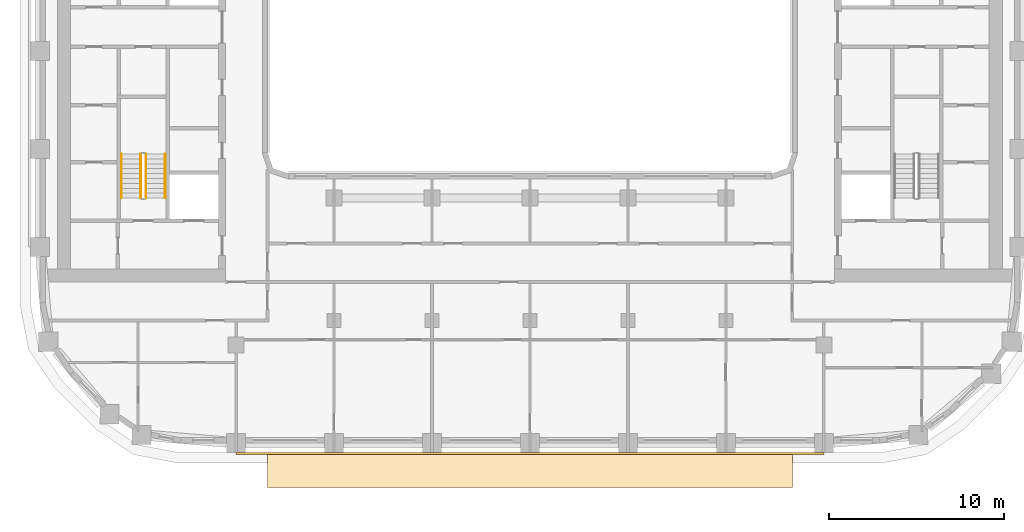
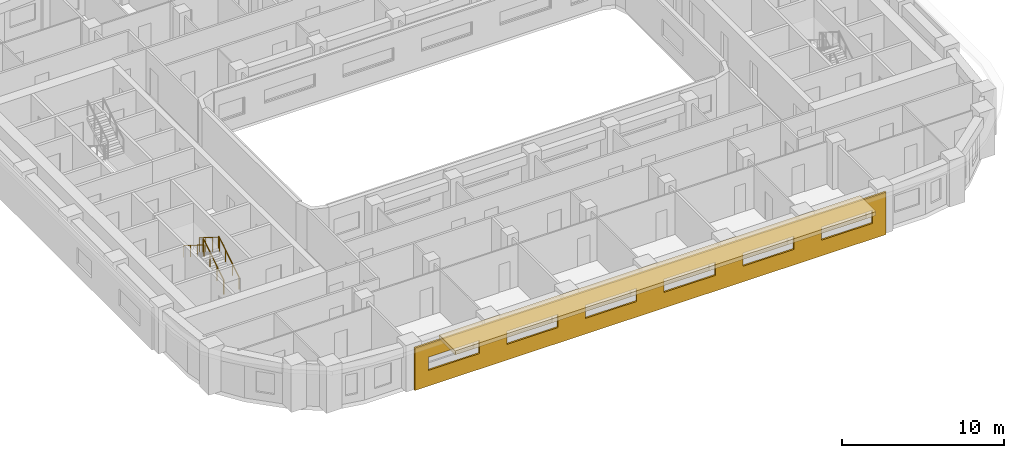
# One storey, part 12 of 22: 4 railings, 2 coverings.
"""IFC4 building model written with IfcOpenShell, lengths in metres."""

from ifc_helpers import new_model, si_unit, direction, frame, origin, origin_2d, place, context, subcontext, project, spatial, polyline, circle, outline, extrude, material, layer, layer_set, type_object, element, save


model = new_model("IFC4")

# Units and contexts
model_context = context("Model", 3, precision=1e-05, world=origin(), true_north=direction((0.0, 1.0)))
body_context = subcontext(model_context, "Body", "Model", "MODEL_VIEW")
ifc_project = project(units=[si_unit("LENGTHUNIT", "METRE"), si_unit("AREAUNIT", "SQUARE_METRE"), si_unit("VOLUMEUNIT", "CUBIC_METRE"), si_unit("PLANEANGLEUNIT", "RADIAN"), si_unit("MASSUNIT", "GRAM", prefix="KILO")], contexts=[model_context])

# Site, building, storey
site_placement = place(None, origin())
site = spatial("IfcSite", under=ifc_project, at=site_placement, CompositionType="ELEMENT")
building_placement = place(site_placement, origin())
building = spatial("IfcBuilding", under=site, at=building_placement, Name="Kiln Ring Residences", CompositionType="ELEMENT")
storey_placement = place(building_placement, frame((0.0, 0.0, 153.60009765625)))
storey = spatial("IfcBuildingStorey", under=building, at=storey_placement, Name="L39", CompositionType="ELEMENT", Elevation=153.60009765625)

# Railings
ifc_material_1 = material(Name="Stainless steel", Category="steel")
railing_type_1 = type_object("IfcRailingType", Name="CORE-STAIR-GUARD", PredefinedType="GUARDRAIL", material=ifc_material_1)
railing_1_placement = place(storey_placement, frame((-21.949951171875, -8.39990234375, 0.1748046875)))
element("IfcRailing", 1, at=railing_1_placement, inside=storey, type_object=railing_type_1, Name="L39 W-STS stair guard 1", PredefinedType="GUARDRAIL", context=body_context, shape_type="SweptSolid", body=[
    extrude(circle(Radius=0.02392578125, at=origin_2d()), frame((0.0, 0.0, 1.076171875), z_axis=(0.0, 0.847970611238, 0.530043245855), x_axis=(-1.0, 0.0, 0.0)), (0.0, 0.0, 1.0), 2.971923828125),
    extrude(circle(Radius=0.02099609375, at=origin_2d()), origin(), (0.0, 0.0, 1.0), 1.052001953125),
    extrude(circle(Radius=0.02099609375, at=origin_2d()), frame((0.0, 0.840087890625, 0.525146484375)), (0.0, 0.0, 1.0), 1.052001953125),
    extrude(circle(Radius=0.02099609375, at=origin_2d()), frame((0.0, 1.679931640625, 1.050048828125)), (0.0, 0.0, 1.0), 1.052001953125),
    extrude(circle(Radius=0.02099609375, at=origin_2d()), frame((0.0, 2.52001953125, 1.5751953125)), (0.0, 0.0, 1.0), 1.052001953125),
])
railing_2_placement = place(storey_placement, frame((-22.25, -5.8798828125, 1.9248046875)))
element("IfcRailing", 2, at=railing_2_placement, inside=storey, type_object=railing_type_1, Name="L39 W-STS stair guard 3", PredefinedType="GUARDRAIL", context=body_context, shape_type="SweptSolid", body=[
    extrude(circle(Radius=0.02392578125, at=origin_2d()), frame((0.0, 0.0, 1.076171875), z_axis=(0.0, -0.847970611238, 0.530043245855), x_axis=(1.0, 0.0, 0.0)), (0.0, 0.0, 1.0), 2.971923828125),
    extrude(circle(Radius=0.02099609375, at=origin_2d()), origin(), (0.0, 0.0, 1.0), 1.052001953125),
    extrude(circle(Radius=0.02099609375, at=origin_2d()), frame((0.0, -0.840087890625, 0.525146484375)), (0.0, 0.0, 1.0), 1.052001953125),
    extrude(circle(Radius=0.02099609375, at=origin_2d()), frame((0.0, -1.679931640625, 1.050048828125)), (0.0, 0.0, 1.0), 1.052001953125),
    extrude(circle(Radius=0.02099609375, at=origin_2d()), frame((0.0, -2.52001953125, 1.5751953125)), (0.0, 0.0, 1.0), 1.052001953125),
])
ifc_material_2 = material(Name="Stainless steel", Category="steel")
railing_type_2 = type_object("IfcRailingType", Name="CORE-STAIR-HANDRAIL", PredefinedType="HANDRAIL", material=ifc_material_2)
railing_3_placement = place(storey_placement, frame((-20.85009765625, -8.39990234375, 0.1748046875)))
element("IfcRailing", 3, at=railing_3_placement, inside=storey, type_object=railing_type_2, Name="L39 W-STS stair handrail 1", PredefinedType="HANDRAIL", context=body_context, shape_type="SweptSolid", body=[
    extrude(circle(Radius=0.02392578125, at=origin_2d()), frame((0.0, 0.0, 0.8759765625), z_axis=(0.0, 0.847970611238, 0.530043245855), x_axis=(-1.0, 0.0, 0.0)), (0.0, 0.0, 1.0), 2.971923828125),
    extrude(circle(Radius=0.02099609375, at=origin_2d()), origin(), (0.0, 0.0, 1.0), 0.851806640625),
    extrude(circle(Radius=0.02099609375, at=origin_2d()), frame((0.0, 0.840087890625, 0.525146484375)), (0.0, 0.0, 1.0), 0.851806640625),
    extrude(circle(Radius=0.02099609375, at=origin_2d()), frame((0.0, 1.679931640625, 1.050048828125)), (0.0, 0.0, 1.0), 0.851806640625),
    extrude(circle(Radius=0.02099609375, at=origin_2d()), frame((0.0, 2.52001953125, 1.5751953125)), (0.0, 0.0, 1.0), 0.851806640625),
])
railing_4_placement = place(storey_placement, frame((-23.35009765625, -5.8798828125, 1.9248046875)))
element("IfcRailing", 4, at=railing_4_placement, inside=storey, type_object=railing_type_2, Name="L39 W-STS stair handrail 2", PredefinedType="HANDRAIL", context=body_context, shape_type="SweptSolid", body=[
    extrude(circle(Radius=0.02392578125, at=origin_2d()), frame((0.0, 0.0, 0.8759765625), z_axis=(0.0, -0.847970611238, 0.530043245855), x_axis=(1.0, 0.0, 0.0)), (0.0, 0.0, 1.0), 2.971923828125),
    extrude(circle(Radius=0.02099609375, at=origin_2d()), origin(), (0.0, 0.0, 1.0), 0.851806640625),
    extrude(circle(Radius=0.02099609375, at=origin_2d()), frame((0.0, -0.840087890625, 0.525146484375)), (0.0, 0.0, 1.0), 0.851806640625),
    extrude(circle(Radius=0.02099609375, at=origin_2d()), frame((0.0, -1.679931640625, 1.050048828125)), (0.0, 0.0, 1.0), 0.851806640625),
    extrude(circle(Radius=0.02099609375, at=origin_2d()), frame((0.0, -2.52001953125, 1.5751953125)), (0.0, 0.0, 1.0), 0.851806640625),
])

# Coverings
ifc_material_3 = material(Name="Brick masonry, dark clay brick", Category="masonry")
ifc_layer_1 = layer(ifc_material_3, 0.1201171875)
ifc_layer_set_1 = layer_set([ifc_layer_1], Name="RAINSCREEN PANEL 120")
covering_type_1 = type_object("IfcCoveringType", Name="RAINSCREEN PANEL 120", PredefinedType="CLADDING", material=ifc_layer_set_1)
covering_1_placement = place(storey_placement, frame((-16.800048828125, -23.010009765625, 0.0), z_axis=(0.0, 0.0, 1.0), x_axis=(1.0, 0.0, 0.0)))
element("IfcCovering", 5, at=covering_1_placement, inside=storey, type_object=covering_type_1, Name="RAINSCREEN L39", PredefinedType="CLADDING", context=body_context, shape_type="SweptSolid", body=[
    extrude(outline(polyline([(0.0, 0.0), (33.60009765625, 0.0), (33.60009765625, 3.199951171875), (0.0, 3.199951171875), (0.0, 0.0)]), holes=[polyline([(4.6201171875, 1.179931640625), (4.6201171875, 2.169921875), (0.97998046875, 2.169921875), (0.97998046875, 1.179931640625), (4.6201171875, 1.179931640625)]), polyline([(6.580078125, 1.179931640625), (10.219970703125, 1.179931640625), (10.219970703125, 2.169921875), (6.580078125, 2.169921875), (6.580078125, 1.179931640625)]), polyline([(12.179931640625, 1.179931640625), (15.820068359375, 1.179931640625), (15.820068359375, 2.169921875), (12.179931640625, 2.169921875), (12.179931640625, 1.179931640625)]), polyline([(21.419921875, 1.179931640625), (21.419921875, 2.169921875), (17.780029296875, 2.169921875), (17.780029296875, 1.179931640625), (21.419921875, 1.179931640625)]), polyline([(23.3798828125, 1.179931640625), (27.02001953125, 1.179931640625), (27.02001953125, 2.169921875), (23.3798828125, 2.169921875), (23.3798828125, 1.179931640625)]), polyline([(28.97998046875, 1.179931640625), (32.6201171875, 1.179931640625), (32.6201171875, 2.169921875), (28.97998046875, 2.169921875), (28.97998046875, 1.179931640625)])]), frame((0.0, 0.06005859375, 0.0), z_axis=(0.0, -1.0, 0.0), x_axis=(1.0, 0.0, 0.0)), (0.0, 0.0, 1.0), 0.1201171875),
])
ifc_material_4 = material(Name="Black powder-coated steel", Category="steel")
ifc_layer_2 = layer(ifc_material_4, 0.300048828125)
ifc_layer_set_2 = layer_set([ifc_layer_2], Name="SUNSHADE BAND 2000")
covering_type_2 = type_object("IfcCoveringType", Name="SUNSHADE BAND 2000", PredefinedType="CLADDING", material=ifc_layer_set_2)
covering_2_placement = place(storey_placement, frame((0.0, 0.0, 3.199951171875)))
element("IfcCovering", 6, at=covering_2_placement, inside=storey, type_object=covering_type_2, Name="SUNSHADE BAND L39", PredefinedType="CLADDING", context=body_context, shape_type="SweptSolid", body=[
    extrude(outline(polyline([(-15.0, -24.949951171875), (15.0, -24.949951171875), (15.0, -22.949951171875), (-15.0, -22.949951171875), (-15.0, -24.949951171875)])), origin(), (0.0, 0.0, 1.0), 0.300048828125),
])

save(model, "model.ifc")
